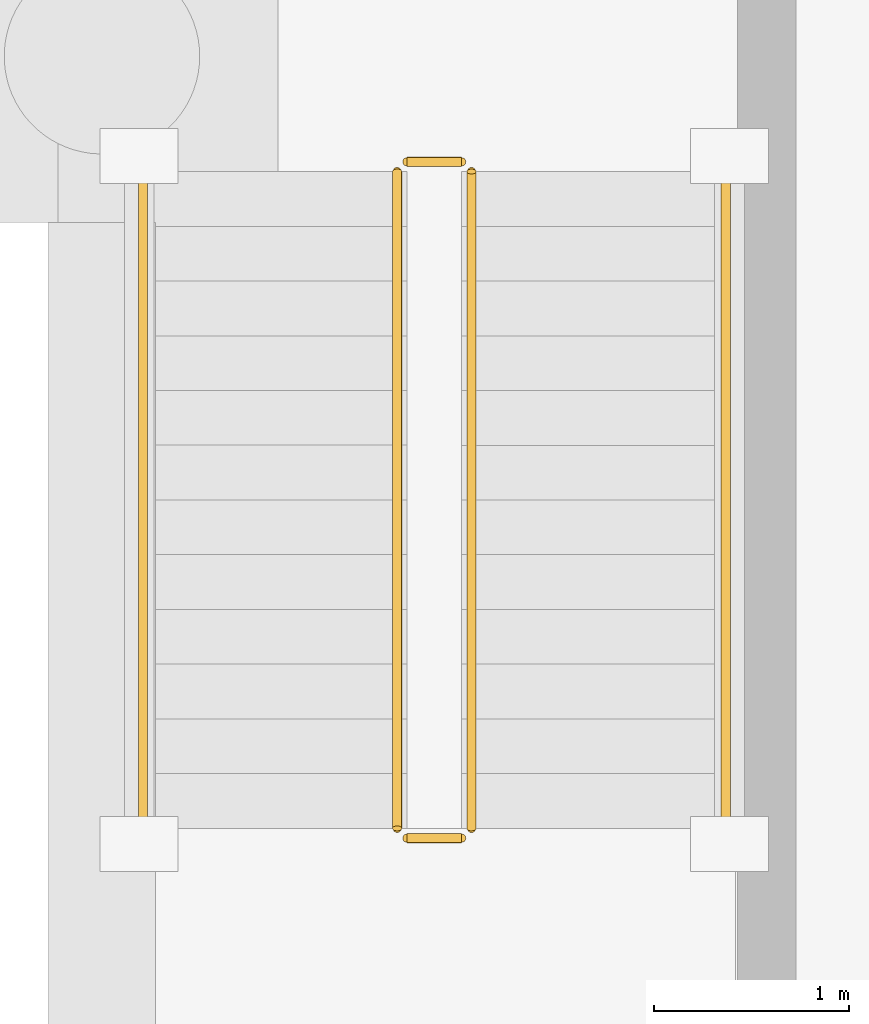
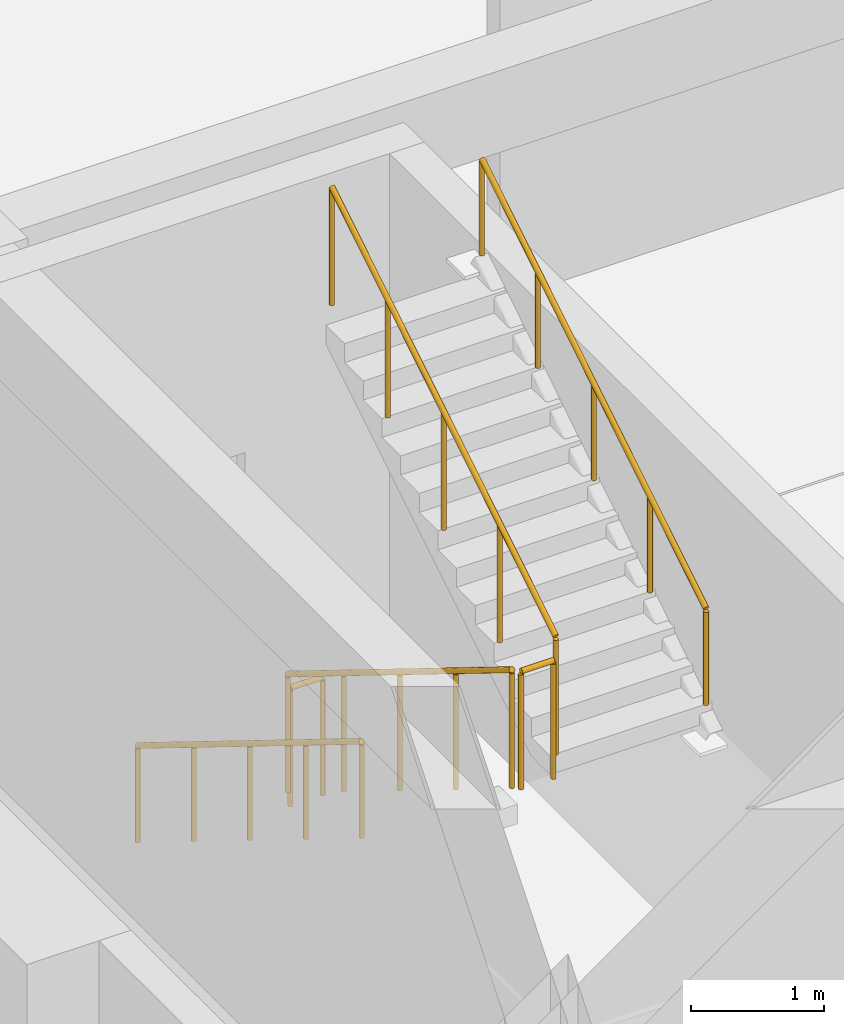
# One storey, part 31 of 41: 6 railings.
"""IFC4 building model written with IfcOpenShell, lengths in metres."""

from ifc_helpers import new_model, si_unit, direction, frame, origin, origin_2d, place, context, subcontext, project, spatial, circle, extrude, material, type_object, element, save


model = new_model("IFC4")

# Units and contexts
model_context = context("Model", 3, precision=1e-05, world=origin(), true_north=direction((0.0, 1.0)))
body_context = subcontext(model_context, "Body", "Model", "MODEL_VIEW")
ifc_project = project(units=[si_unit("LENGTHUNIT", "METRE"), si_unit("AREAUNIT", "SQUARE_METRE"), si_unit("VOLUMEUNIT", "CUBIC_METRE"), si_unit("PLANEANGLEUNIT", "RADIAN"), si_unit("MASSUNIT", "GRAM", prefix="KILO")], contexts=[model_context])

# Site, building, storey
site_placement = place(None, origin())
site = spatial("IfcSite", under=ifc_project, at=site_placement, CompositionType="ELEMENT")
building_placement = place(site_placement, origin())
building = spatial("IfcBuilding", under=site, at=building_placement, Name="Kemercrest Conservatory and Botanical Centre", CompositionType="ELEMENT")
storey_placement = place(building_placement, frame((0.0, 0.0, -4.5)))
storey = spatial("IfcBuildingStorey", under=building, at=storey_placement, Name="B1", CompositionType="ELEMENT", Elevation=-4.5)

# Railings
ifc_material_1 = material(Name="Painted galvanized steel tubular stair guardrail", Category="steel")
railing_type_1 = type_object("IfcRailingType", Name="GR-STR110", PredefinedType="GUARDRAIL", material=ifc_material_1)
railing_1_placement = place(storey_placement, frame((59.909912109375, 23.360107421875, 0.173095703125)))
element("IfcRailing", 1, at=railing_1_placement, inside=storey, type_object=railing_type_1, Name="B1 ST-V2A stair guard 1", PredefinedType="GUARDRAIL", context=body_context, shape_type="SweptSolid", body=[
    extrude(circle(Radius=0.02392578125, at=origin_2d()), frame((0.0, 0.0, 1.076171875), z_axis=(0.0, -0.850623216509, 0.525775754039), x_axis=(1.0, 0.0, 0.0)), (0.0, 0.0, 1.0), 3.9501953125),
    extrude(circle(Radius=0.02099609375, at=origin_2d()), origin(), (0.0, 0.0, 1.0), 1.052001953125),
    extrude(circle(Radius=0.02099609375, at=origin_2d()), frame((0.0, -0.840087890625, 0.519287109375)), (0.0, 0.0, 1.0), 1.052001953125),
    extrude(circle(Radius=0.02099609375, at=origin_2d()), frame((0.0, -1.68017578125, 1.03857421875)), (0.0, 0.0, 1.0), 1.052001953125),
    extrude(circle(Radius=0.02099609375, at=origin_2d()), frame((0.0, -2.52001953125, 1.5576171875)), (0.0, 0.0, 1.0), 1.052001953125),
    extrude(circle(Radius=0.02099609375, at=origin_2d()), frame((0.0, -3.360107421875, 2.076904296875)), (0.0, 0.0, 1.0), 1.052001953125),
])
railing_2_placement = place(storey_placement, frame((59.9599609375, 19.949951171875, 2.25)))
element("IfcRailing", 2, at=railing_2_placement, inside=storey, type_object=railing_type_1, Name="B1 ST-V2A stair guard 2", PredefinedType="GUARDRAIL", context=body_context, shape_type="SweptSolid", body=[
    extrude(circle(Radius=0.02392578125, at=origin_2d()), frame((0.0, 0.0, 1.076171875), z_axis=(1.0, 0.0, 0.0), x_axis=(0.0, 1.0, 0.0)), (0.0, 0.0, 1.0), 0.280029296875),
    extrude(circle(Radius=0.02099609375, at=origin_2d()), origin(), (0.0, 0.0, 1.0), 1.052001953125),
    extrude(circle(Radius=0.02099609375, at=origin_2d()), frame((0.280029296875, 0.0, 0.0)), (0.0, 0.0, 1.0), 1.052001953125),
])
railing_3_placement = place(storey_placement, frame((60.2900390625, 20.0, 2.423095703125)))
element("IfcRailing", 3, at=railing_3_placement, inside=storey, type_object=railing_type_1, Name="B1 ST-V2A stair guard 3", PredefinedType="GUARDRAIL", context=body_context, shape_type="SweptSolid", body=[
    extrude(circle(Radius=0.02392578125, at=origin_2d()), frame((0.0, 0.0, 1.076171875), z_axis=(0.0, 0.850623216509, 0.525775754039), x_axis=(-1.0, 0.0, 0.0)), (0.0, 0.0, 1.0), 3.9501953125),
    extrude(circle(Radius=0.02099609375, at=origin_2d()), origin(), (0.0, 0.0, 1.0), 1.052001953125),
    extrude(circle(Radius=0.02099609375, at=origin_2d()), frame((0.0, 0.840087890625, 0.519287109375)), (0.0, 0.0, 1.0), 1.052001953125),
    extrude(circle(Radius=0.02099609375, at=origin_2d()), frame((0.0, 1.68017578125, 1.03857421875)), (0.0, 0.0, 1.0), 1.052001953125),
    extrude(circle(Radius=0.02099609375, at=origin_2d()), frame((0.0, 2.52001953125, 1.5576171875)), (0.0, 0.0, 1.0), 1.052001953125),
    extrude(circle(Radius=0.02099609375, at=origin_2d()), frame((0.0, 3.360107421875, 2.076904296875)), (0.0, 0.0, 1.0), 1.052001953125),
])
railing_4_placement = place(storey_placement, frame((59.9599609375, 23.409912109375, 0.0)))
element("IfcRailing", 4, at=railing_4_placement, inside=storey, type_object=railing_type_1, Name="B1 ST-V2A stair guard 4", PredefinedType="GUARDRAIL", context=body_context, shape_type="SweptSolid", body=[
    extrude(circle(Radius=0.02392578125, at=origin_2d()), frame((0.0, 0.0, 1.076171875), z_axis=(1.0, 0.0, 0.0), x_axis=(0.0, 1.0, 0.0)), (0.0, 0.0, 1.0), 0.280029296875),
    extrude(circle(Radius=0.02099609375, at=origin_2d()), origin(), (0.0, 0.0, 1.0), 1.052001953125),
    extrude(circle(Radius=0.02099609375, at=origin_2d()), frame((0.280029296875, 0.0, 0.0)), (0.0, 0.0, 1.0), 1.052001953125),
])
ifc_material_2 = material(Name="Brushed stainless steel wall-mounted handrail", Category="steel")
railing_type_2 = type_object("IfcRailingType", Name="HR-STR090", PredefinedType="HANDRAIL", material=ifc_material_2)
railing_5_placement = place(storey_placement, frame((58.610107421875, 23.360107421875, 0.173095703125)))
element("IfcRailing", 5, at=railing_5_placement, inside=storey, type_object=railing_type_2, Name="B1 ST-V2A stair handrail 1", PredefinedType="HANDRAIL", context=body_context, shape_type="SweptSolid", body=[
    extrude(circle(Radius=0.02392578125, at=origin_2d()), frame((0.0, 0.0, 0.8759765625), z_axis=(0.0, -0.850623216509, 0.525775754039), x_axis=(1.0, 0.0, 0.0)), (0.0, 0.0, 1.0), 3.9501953125),
    extrude(circle(Radius=0.02099609375, at=origin_2d()), origin(), (0.0, 0.0, 1.0), 0.851806640625),
    extrude(circle(Radius=0.02099609375, at=origin_2d()), frame((0.0, -0.840087890625, 0.519287109375)), (0.0, 0.0, 1.0), 0.851806640625),
    extrude(circle(Radius=0.02099609375, at=origin_2d()), frame((0.0, -1.68017578125, 1.03857421875)), (0.0, 0.0, 1.0), 0.851806640625),
    extrude(circle(Radius=0.02099609375, at=origin_2d()), frame((0.0, -2.52001953125, 1.5576171875)), (0.0, 0.0, 1.0), 0.851806640625),
    extrude(circle(Radius=0.02099609375, at=origin_2d()), frame((0.0, -3.360107421875, 2.076904296875)), (0.0, 0.0, 1.0), 0.851806640625),
])
railing_6_placement = place(storey_placement, frame((61.590087890625, 20.0, 2.423095703125)))
element("IfcRailing", 6, at=railing_6_placement, inside=storey, type_object=railing_type_2, Name="B1 ST-V2A stair handrail 2", PredefinedType="HANDRAIL", context=body_context, shape_type="SweptSolid", body=[
    extrude(circle(Radius=0.02392578125, at=origin_2d()), frame((0.0, 0.0, 0.8759765625), z_axis=(0.0, 0.850623216509, 0.525775754039), x_axis=(-1.0, 0.0, 0.0)), (0.0, 0.0, 1.0), 3.9501953125),
    extrude(circle(Radius=0.02099609375, at=origin_2d()), origin(), (0.0, 0.0, 1.0), 0.851806640625),
    extrude(circle(Radius=0.02099609375, at=origin_2d()), frame((0.0, 0.840087890625, 0.519287109375)), (0.0, 0.0, 1.0), 0.851806640625),
    extrude(circle(Radius=0.02099609375, at=origin_2d()), frame((0.0, 1.68017578125, 1.03857421875)), (0.0, 0.0, 1.0), 0.851806640625),
    extrude(circle(Radius=0.02099609375, at=origin_2d()), frame((0.0, 2.52001953125, 1.5576171875)), (0.0, 0.0, 1.0), 0.851806640625),
    extrude(circle(Radius=0.02099609375, at=origin_2d()), frame((0.0, 3.360107421875, 2.076904296875)), (0.0, 0.0, 1.0), 0.851806640625),
])

save(model, "model.ifc")
